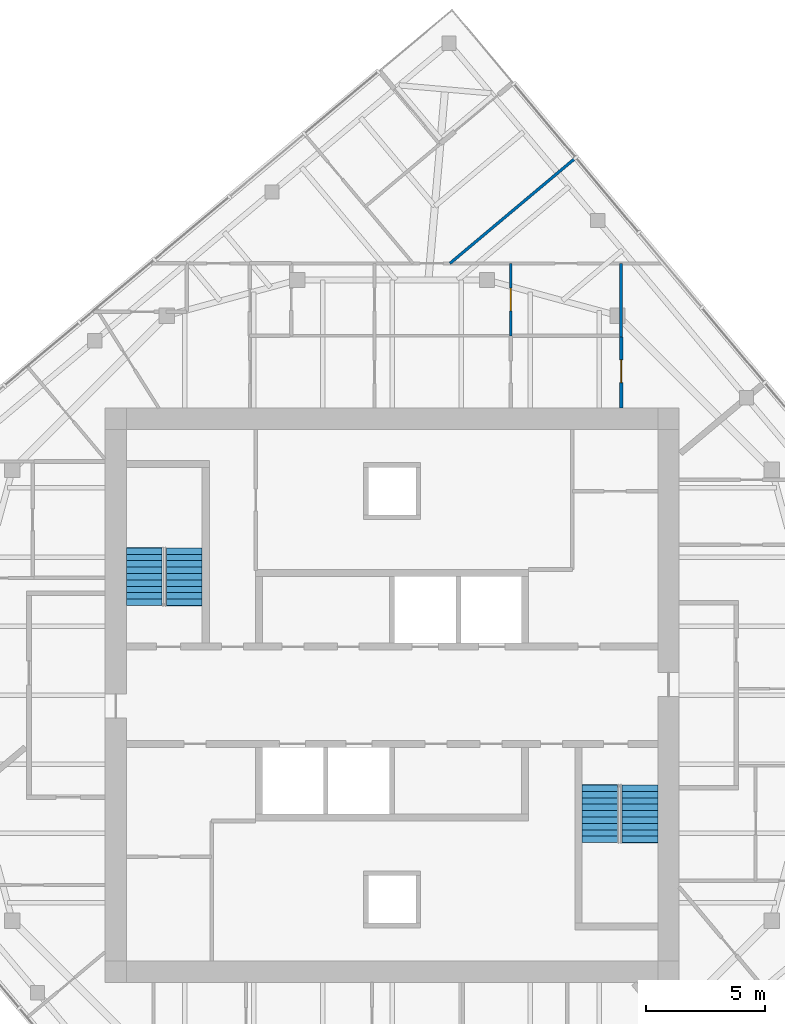
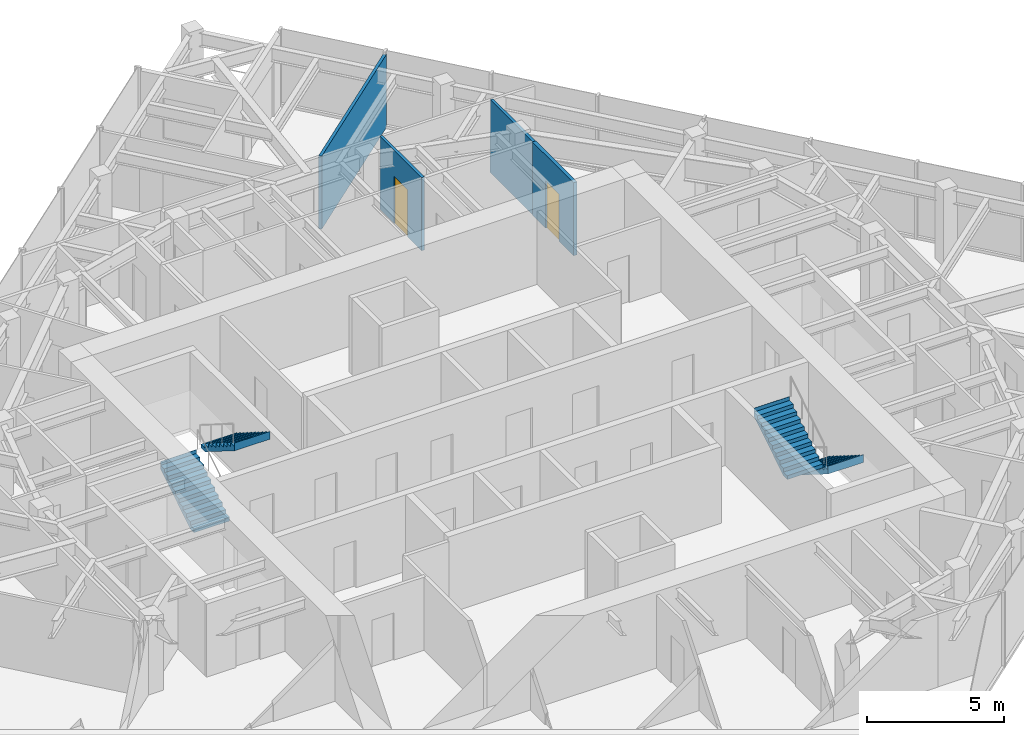
# One storey, part 11 of 12: 4 stair flights, 4 walls, 2 doors, 2 openings, 2 elements without a shape of their own.
"""IFC4 building model written with IfcOpenShell, lengths in metres."""

from ifc_helpers import new_model, si_unit, direction, frame, frame_2d, origin, place, context, subcontext, project, spatial, polyline, rectangle, outline, extrude, material, layer, layer_set, type_object, element, fill, aggregate, save


model = new_model("IFC4")

# Units and contexts
model_context = context("Model", 3, precision=1e-05, world=origin(), true_north=direction((0.0, 1.0)))
body_context = subcontext(model_context, "Body", "Model", "MODEL_VIEW")
ifc_project = project(units=[si_unit("LENGTHUNIT", "METRE"), si_unit("AREAUNIT", "SQUARE_METRE"), si_unit("VOLUMEUNIT", "CUBIC_METRE"), si_unit("PLANEANGLEUNIT", "RADIAN"), si_unit("MASSUNIT", "GRAM", prefix="KILO")], contexts=[model_context])

# Site, building, storey
site_placement = place(None, origin())
site = spatial("IfcSite", under=ifc_project, at=site_placement, CompositionType="ELEMENT")
building_placement = place(site_placement, origin())
building = spatial("IfcBuilding", under=site, at=building_placement, Name="Torsade Residences", CompositionType="ELEMENT")
storey_placement = place(building_placement, frame((0.0, 0.0, 293.0)))
storey = spatial("IfcBuildingStorey", under=building, at=storey_placement, Name="L81", CompositionType="ELEMENT", Elevation=293.0)

# Wall, opening, door
ifc_material_1 = material(Name="Plasterboard on steel stud", Category="steel")
ifc_layer_1 = layer(ifc_material_1, 0.1201171875)
ifc_layer_set_1 = layer_set([ifc_layer_1], Name="Plasterboard on steel stud")
wall_type_1 = type_object("IfcWallType", Name="PARTITION 120", PredefinedType="PARTITIONING", material=ifc_layer_set_1)
wall_1_placement = place(storey_placement, frame((45.00341796875, 48.199951171875, 0.0), z_axis=(0.0, 0.0, 1.0), x_axis=(0.0, -1.0, 0.0)))
wall_1 = element("IfcWall", 1, at=wall_1_placement, inside=storey, type_object=wall_type_1, Name="Partition L81", PredefinedType="PARTITIONING", context=body_context, shape_type="SweptSolid", body=[
    extrude(rectangle(XDim=3.050048828125, YDim=0.1201171875, at=frame_2d((1.52490234375, 0.0))), origin(), (0.0, 0.0, 1.0), 3.25),
])
opening_1_placement = place(wall_1_placement, frame((1.044921875, 0.0, 0.0)))
opening_1 = element("IfcOpeningElement", 2, at=opening_1_placement, cuts=wall_1, Name="Opening D05", PredefinedType="OPENING", context=body_context, shape_type="SweptSolid", body=[
    extrude(rectangle(XDim=0.9599609375, YDim=2.10009765625, at=frame_2d((0.47998046875, 1.050048828125))), frame((0.0, 0.070068359375, 0.0), z_axis=(0.0, -1.0, 0.0), x_axis=(1.0, 0.0, 0.0)), (0.0, 0.0, 1.0), 0.14013671875),
])
ifc_material_2 = material(Name="Hollow-core timber door in a steel cavity frame", Category="steel")
door_type = type_object("IfcDoorType", Name="BATHROOM CAVITY SLIDING DOOR 960", OperationType="SLIDING_TO_LEFT", PredefinedType="DOOR", material=ifc_material_2)
door_1_placement = place(opening_1_placement, origin())
door_1 = element("IfcDoor", 3, at=door_1_placement, inside=storey, type_object=door_type, Name="Door Ensuite to Walk-in robe", OperationType="SLIDING_TO_LEFT", OverallHeight=2.10009765625, OverallWidth=0.9599609375, PredefinedType="DOOR", context=body_context, shape_type="SweptSolid", body=[
    extrude(rectangle(XDim=0.9599609375, YDim=2.10009765625, at=frame_2d((0.47998046875, 1.050048828125))), frame((0.0, 0.02490234375, 0.0), z_axis=(0.0, -1.0, 0.0), x_axis=(1.0, 0.0, 0.0)), (0.0, 0.0, 1.0), 0.050048828125),
])
fill(opening_1, door_1)

# Walls
wall_2_placement = place(storey_placement, frame((49.652099609375, 45.10009765625, 0.0), z_axis=(0.0, 0.0, 1.0), x_axis=(0.0, 1.0, 0.0)))
element("IfcWall", 4, at=wall_2_placement, inside=storey, type_object=wall_type_1, Name="Partition L81", PredefinedType="PARTITIONING", context=body_context, shape_type="SweptSolid", body=[
    extrude(rectangle(XDim=3.099853515625, YDim=0.1201171875, at=frame_2d((1.5498046875, 0.0))), origin(), (0.0, 0.0, 1.0), 3.25),
])
wall_3_placement = place(storey_placement, frame((47.71875, 52.63134765625, 0.0), z_axis=(0.0, 0.0, 1.0), x_axis=(-0.766036842262, -0.642796667926, 0.0)))
element("IfcWall", 5, at=wall_3_placement, inside=storey, type_object=wall_type_1, Name="Partition L81", PredefinedType="PARTITIONING", context=body_context, shape_type="SweptSolid", body=[
    extrude(rectangle(XDim=6.89404296875, YDim=0.1201171875, at=frame_2d((3.447021484375, 0.0))), origin(), (0.0, 0.0, 1.0), 3.25),
])

# Wall, opening, door
ifc_material_3 = material(Name="Reinforced blockwork", Category="masonry")
ifc_layer_2 = layer(ifc_material_3, 0.14990234375)
ifc_layer_set_2 = layer_set([ifc_layer_2], Name="Reinforced blockwork")
wall_type_2 = type_object("IfcWallType", Name="SERVICE ROOM WALL 150", PredefinedType="SOLIDWALL", material=ifc_layer_set_2)
wall_4_placement = place(storey_placement, frame((49.652099609375, 42.10009765625, 0.0), z_axis=(0.0, 0.0, 1.0), x_axis=(0.0, 1.0, 0.0)))
wall_4 = element("IfcWall", 6, at=wall_4_placement, inside=storey, type_object=wall_type_2, Name="Service room wall L81", PredefinedType="SOLIDWALL", context=body_context, shape_type="SweptSolid", body=[
    extrude(rectangle(XDim=3.0, YDim=0.14990234375, at=frame_2d((1.5, 0.0))), origin(), (0.0, 0.0, 1.0), 3.25),
])
opening_2_placement = place(wall_4_placement, frame((1.070068359375, 0.0, 0.0)))
opening_2 = element("IfcOpeningElement", 7, at=opening_2_placement, cuts=wall_4, Name="Opening D05", PredefinedType="OPENING", context=body_context, shape_type="SweptSolid", body=[
    extrude(rectangle(XDim=0.9599609375, YDim=2.10009765625, at=frame_2d((0.47998046875, 1.050048828125))), frame((0.0, 0.0849609375, 0.0), z_axis=(0.0, -1.0, 0.0), x_axis=(1.0, 0.0, 0.0)), (0.0, 0.0, 1.0), 0.169921875),
])
door_2_placement = place(opening_2_placement, origin())
door_2 = element("IfcDoor", 8, at=door_2_placement, inside=storey, type_object=door_type, Name="Door Linen store 3 to Laundry", OperationType="SLIDING_TO_LEFT", OverallHeight=2.10009765625, OverallWidth=0.9599609375, PredefinedType="DOOR", context=body_context, shape_type="SweptSolid", body=[
    extrude(rectangle(XDim=0.9599609375, YDim=2.10009765625, at=frame_2d((0.47998046875, 1.050048828125))), frame((0.0, 0.02490234375, 0.0), z_axis=(0.0, -1.0, 0.0), x_axis=(1.0, 0.0, 0.0)), (0.0, 0.0, 1.0), 0.050048828125),
])
fill(opening_2, door_2)

# Stair, stair flights
ifc_material_4 = material(Name="Precast concrete 40 MPa", Category="concrete")
stair_type = type_object("IfcStairType", Name="HALF-TURN FIRE STAIR 1500x3400", PredefinedType="HALF_TURN_STAIR", material=ifc_material_4)
stair_1_placement = place(storey_placement, origin())
stair_1 = element("IfcStair", 9, at=stair_1_placement, inside=storey, type_object=stair_type, Name="Stair ST1 L81", PredefinedType="HALF_TURN_STAIR")
ifc_material_5 = material(Name="Precast concrete 40 MPa", Category="concrete")
stair_flight_type = type_object("IfcStairFlightType", Name="PRECAST STAIR FLIGHT 1500x1700", PredefinedType="STRAIGHT", material=ifc_material_5)
stair_flight_1_placement = place(storey_placement, frame((29.550048828125, 33.780029296875, 0.0), z_axis=(0.0, 0.0, 1.0), x_axis=(0.0, 1.0, 0.0)))
stair_flight_1 = element("IfcStairFlight", 10, at=stair_flight_1_placement, type_object=stair_flight_type, Name="ST1 flight 1", NumberOfRisers=10, NumberOfTreads=9, PredefinedType="STRAIGHT", RiserHeight=0.17, TreadLength=0.27, context=body_context, shape_type="SweptSolid", body=[
    extrude(outline(polyline([(0.0, 0.0), (0.0, 0.169921875), (0.27001953125, 0.169921875), (0.27001953125, 0.340087890625), (0.5400390625, 0.340087890625), (0.5400390625, 0.510009765625), (0.81005859375, 0.510009765625), (0.81005859375, 0.679931640625), (1.080078125, 0.679931640625), (1.080078125, 0.85009765625), (1.35009765625, 0.85009765625), (1.35009765625, 1.02001953125), (1.6201171875, 1.02001953125), (1.6201171875, 1.18994140625), (1.889892578125, 1.18994140625), (1.889892578125, 1.360107421875), (2.159912109375, 1.360107421875), (2.159912109375, 1.530029296875), (2.429931640625, 1.530029296875), (2.429931640625, 1.699951171875), (2.43994140625, 1.699951171875), (2.43994140625, 1.352783203125), (2.429931640625, 1.352783203125), (0.28125, 0.0), (0.0, 0.0)])), frame((0.0, 0.75, 0.0), z_axis=(0.0, -1.0, 0.0), x_axis=(1.0, 0.0, 0.0)), (0.0, 0.0, 1.0), 1.5),
])
stair_flight_2_placement = place(storey_placement, frame((31.25, 36.2099609375, 1.699951171875), z_axis=(0.0, 0.0, 1.0), x_axis=(0.0, -1.0, 0.0)))
stair_flight_2 = element("IfcStairFlight", 11, at=stair_flight_2_placement, type_object=stair_flight_type, Name="ST1 flight 2", NumberOfRisers=10, NumberOfTreads=9, PredefinedType="STRAIGHT", RiserHeight=0.17, TreadLength=0.27, context=body_context, shape_type="SweptSolid", body=[
    extrude(outline(polyline([(0.0, 0.0), (0.0, 0.169921875), (0.27001953125, 0.169921875), (0.27001953125, 0.340087890625), (0.5400390625, 0.340087890625), (0.5400390625, 0.510009765625), (0.81005859375, 0.510009765625), (0.81005859375, 0.679931640625), (1.080078125, 0.679931640625), (1.080078125, 0.85009765625), (1.35009765625, 0.85009765625), (1.35009765625, 1.02001953125), (1.6201171875, 1.02001953125), (1.6201171875, 1.18994140625), (1.889892578125, 1.18994140625), (1.889892578125, 1.360107421875), (2.159912109375, 1.360107421875), (2.159912109375, 1.530029296875), (2.429931640625, 1.530029296875), (2.429931640625, 1.699951171875), (2.43994140625, 1.699951171875), (2.43994140625, 1.352783203125), (2.429931640625, 1.352783203125), (0.28125, 0.0), (0.0, 0.0)])), frame((0.0, 0.75, 0.0), z_axis=(0.0, -1.0, 0.0), x_axis=(1.0, 0.0, 0.0)), (0.0, 0.0, 1.0), 1.5),
])
aggregate(stair_1, [stair_flight_1, stair_flight_2])

stair_2_placement = place(storey_placement, origin())
stair_2 = element("IfcStair", 12, at=stair_2_placement, inside=storey, type_object=stair_type, Name="Stair ST2 L81", PredefinedType="HALF_TURN_STAIR")
stair_flight_3_placement = place(storey_placement, frame((50.449951171875, 26.219970703125, 0.0), z_axis=(0.0, 0.0, 1.0), x_axis=(0.0, -1.0, 0.0)))
stair_flight_3 = element("IfcStairFlight", 13, at=stair_flight_3_placement, type_object=stair_flight_type, Name="ST2 flight 1", NumberOfRisers=10, NumberOfTreads=9, PredefinedType="STRAIGHT", RiserHeight=0.17, TreadLength=0.27, context=body_context, shape_type="SweptSolid", body=[
    extrude(outline(polyline([(0.0, 0.0), (0.0, 0.169921875), (0.27001953125, 0.169921875), (0.27001953125, 0.340087890625), (0.5400390625, 0.340087890625), (0.5400390625, 0.510009765625), (0.81005859375, 0.510009765625), (0.81005859375, 0.679931640625), (1.080078125, 0.679931640625), (1.080078125, 0.85009765625), (1.35009765625, 0.85009765625), (1.35009765625, 1.02001953125), (1.6201171875, 1.02001953125), (1.6201171875, 1.18994140625), (1.889892578125, 1.18994140625), (1.889892578125, 1.360107421875), (2.159912109375, 1.360107421875), (2.159912109375, 1.530029296875), (2.429931640625, 1.530029296875), (2.429931640625, 1.699951171875), (2.43994140625, 1.699951171875), (2.43994140625, 1.352783203125), (2.429931640625, 1.352783203125), (0.28125, 0.0), (0.0, 0.0)])), frame((0.0, 0.75, 0.0), z_axis=(0.0, -1.0, 0.0), x_axis=(1.0, 0.0, 0.0)), (0.0, 0.0, 1.0), 1.5),
])
stair_flight_4_placement = place(storey_placement, frame((48.75, 23.7900390625, 1.699951171875), z_axis=(0.0, 0.0, 1.0), x_axis=(0.0, 1.0, 0.0)))
stair_flight_4 = element("IfcStairFlight", 14, at=stair_flight_4_placement, type_object=stair_flight_type, Name="ST2 flight 2", NumberOfRisers=10, NumberOfTreads=9, PredefinedType="STRAIGHT", RiserHeight=0.17, TreadLength=0.27, context=body_context, shape_type="SweptSolid", body=[
    extrude(outline(polyline([(0.0, 0.0), (0.0, 0.169921875), (0.27001953125, 0.169921875), (0.27001953125, 0.340087890625), (0.5400390625, 0.340087890625), (0.5400390625, 0.510009765625), (0.81005859375, 0.510009765625), (0.81005859375, 0.679931640625), (1.080078125, 0.679931640625), (1.080078125, 0.85009765625), (1.35009765625, 0.85009765625), (1.35009765625, 1.02001953125), (1.6201171875, 1.02001953125), (1.6201171875, 1.18994140625), (1.889892578125, 1.18994140625), (1.889892578125, 1.360107421875), (2.159912109375, 1.360107421875), (2.159912109375, 1.530029296875), (2.429931640625, 1.530029296875), (2.429931640625, 1.699951171875), (2.43994140625, 1.699951171875), (2.43994140625, 1.352783203125), (2.429931640625, 1.352783203125), (0.28125, 0.0), (0.0, 0.0)])), frame((0.0, 0.75, 0.0), z_axis=(0.0, -1.0, 0.0), x_axis=(1.0, 0.0, 0.0)), (0.0, 0.0, 1.0), 1.5),
])
aggregate(stair_2, [stair_flight_3, stair_flight_4])

save(model, "model.ifc")
